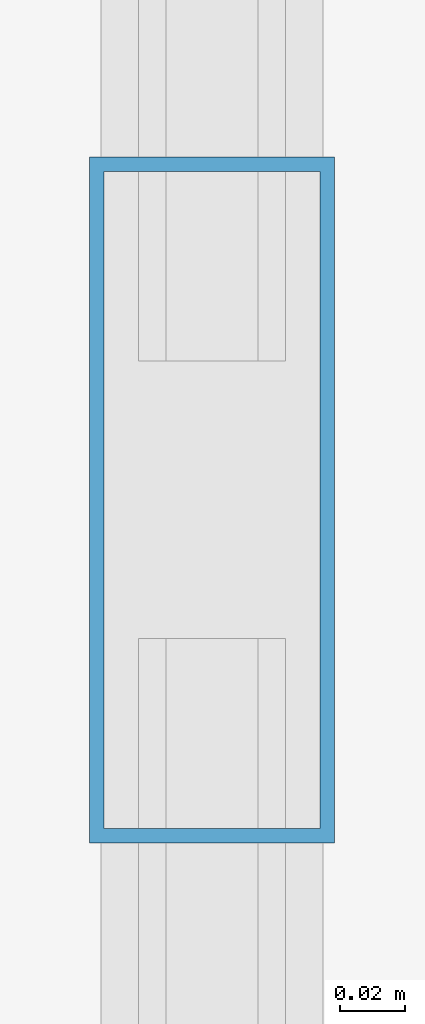
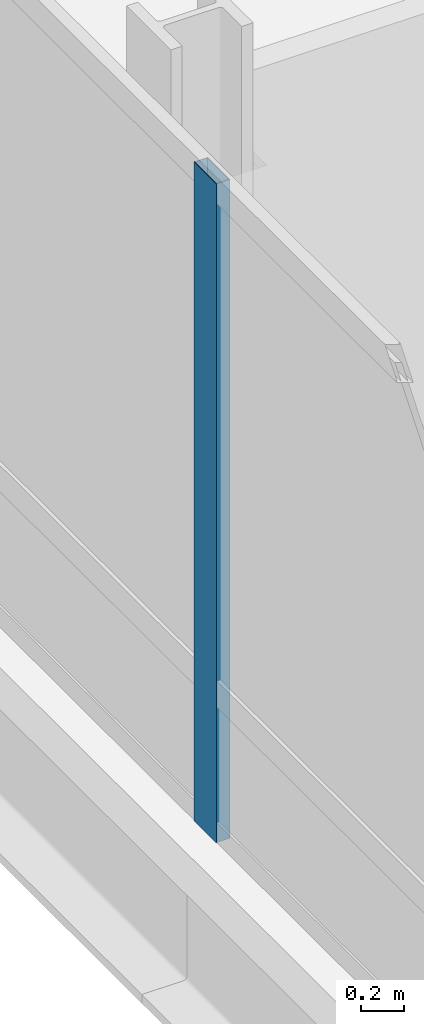
# One storey, part 8 of 45: 1 member, 1 element without a shape of its own.
"""IFC4 building model written with IfcOpenShell, lengths in metres."""

from ifc_helpers import new_model, si_unit, direction, frame, origin, origin_2d, place, context, subcontext, project, spatial, hollow_rectangle, extrude, material, material_profile, profile_set, type_object, element, aggregate, save


model = new_model("IFC4")

# Units and contexts
model_context = context("Model", 3, precision=1e-05, world=origin(), true_north=direction((0.0, 1.0)))
body_context = subcontext(model_context, "Body", "Model", "MODEL_VIEW")
ifc_project = project(units=[si_unit("LENGTHUNIT", "METRE"), si_unit("AREAUNIT", "SQUARE_METRE"), si_unit("VOLUMEUNIT", "CUBIC_METRE"), si_unit("PLANEANGLEUNIT", "RADIAN"), si_unit("MASSUNIT", "GRAM", prefix="KILO")], contexts=[model_context])

# Site, building, storey
site_placement = place(None, origin())
site = spatial("IfcSite", under=ifc_project, at=site_placement, CompositionType="ELEMENT")
building_placement = place(site_placement, origin())
building = spatial("IfcBuilding", under=site, at=building_placement, Name="Punatoya Terracotta Tower", CompositionType="ELEMENT")
storey_placement = place(building_placement, frame((0.0, 0.0, 56.550048828125)))
storey = spatial("IfcBuildingStorey", under=building, at=storey_placement, Name="L12", CompositionType="ELEMENT", Elevation=56.550048828125)

# Curtain wall, member
ifc_material_1 = material(Name="Aluminium 6063-T6 + Double Low-E Glass", Category="aluminium")
curtain_wall_type = type_object("IfcCurtainWallType", Name="CW-M1", PredefinedType="NOTDEFINED", material=ifc_material_1)
curtain_wall_placement = place(storey_placement, origin())
curtain_wall = element("IfcCurtainWall", 1, at=curtain_wall_placement, inside=storey, type_object=curtain_wall_type, Name="L12 Curtain Wall CW-L12-W13-1", PredefinedType="NOTDEFINED")
ifc_material_2 = material(Name="Aluminium 6063-T6", Category="aluminium")
ifc_material_profile = material_profile(ifc_material_2, hollow_rectangle(XDim=0.074951171875, YDim=0.2099609375, WallThickness=0.00439453125, at=origin_2d()))
ifc_profile_set = profile_set([ifc_material_profile], Name="Aluminium 6063-T6")
member_type = type_object("IfcMemberType", Name="CW-MUL-M1", PredefinedType="MULLION", material=ifc_profile_set)
member_placement = place(storey_placement, frame((-24.85009765625, -4.21435546875, 0.0), z_axis=(0.0, 0.0, 1.0), x_axis=(1.0, 0.0, 0.0)))
member = element("IfcMember", 2, at=member_placement, type_object=member_type, Name="CW-L12-W13-1 Mullion 04", PredefinedType="MULLION", context=body_context, shape_type="SweptSolid", body=[
    extrude(hollow_rectangle(XDim=0.074951171875, YDim=0.2099609375, WallThickness=0.00439453125, at=origin_2d()), origin(), (0.0, 0.0, 1.0), 3.77001953125),
])
aggregate(curtain_wall, [member])

save(model, "model.ifc")
